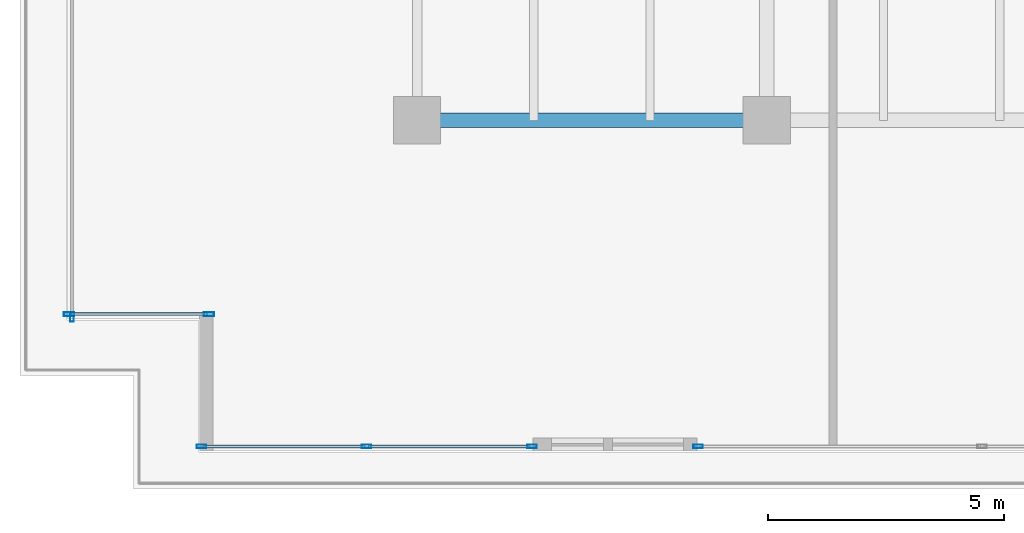
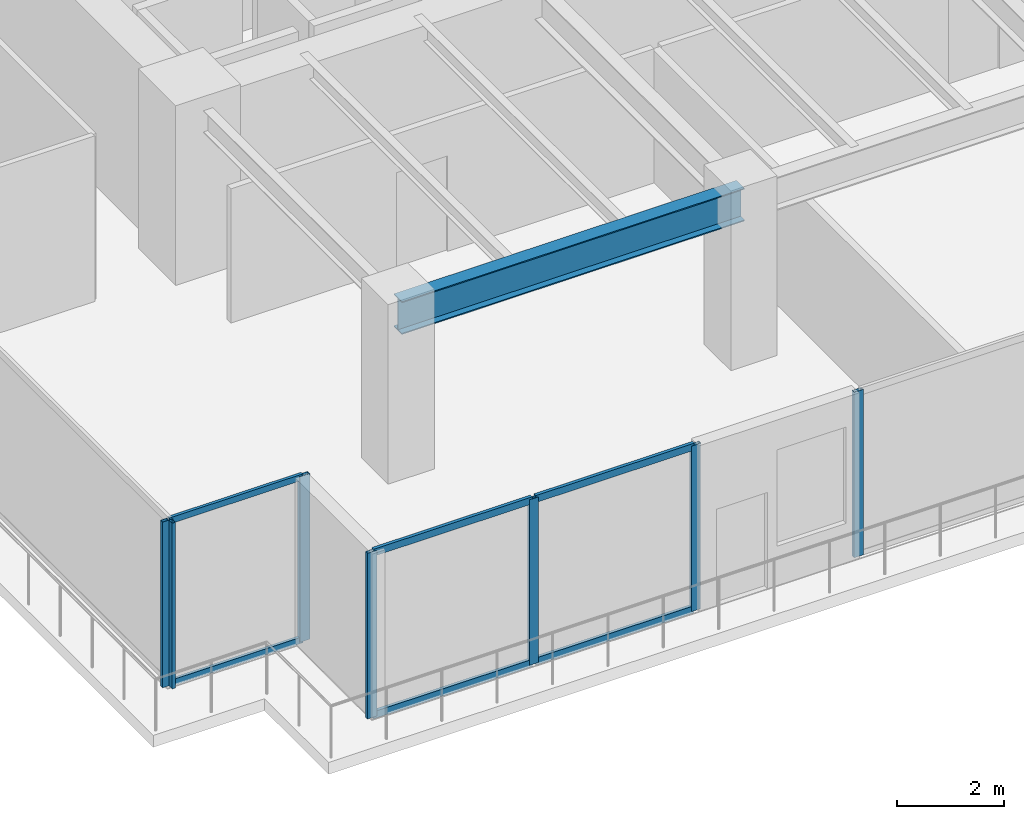
# One storey, part 2 of 36: 13 members, 1 beam, 4 elements without a shape of their own.
"""IFC4 building model written with IfcOpenShell, lengths in metres."""

from ifc_helpers import new_model, si_unit, direction, frame, origin, origin_2d, place, context, subcontext, project, spatial, hollow_rectangle, i_section, extrude, source, transform, mapped, material, layer, layer_set, material_profile, profile_set, type_object, type_shapes, element, aggregate, save


model = new_model("IFC4")

# Units and contexts
model_context = context("Model", 3, precision=1e-05, world=origin(), true_north=direction((0.0, 1.0)))
body_context = subcontext(model_context, "Body", "Model", "MODEL_VIEW")
ifc_project = project(units=[si_unit("LENGTHUNIT", "METRE"), si_unit("AREAUNIT", "SQUARE_METRE"), si_unit("VOLUMEUNIT", "CUBIC_METRE"), si_unit("PLANEANGLEUNIT", "RADIAN"), si_unit("MASSUNIT", "GRAM", prefix="KILO")], contexts=[model_context])

# Site, building, storey
site_placement = place(None, origin())
site = spatial("IfcSite", under=ifc_project, at=site_placement, CompositionType="ELEMENT")
building_placement = place(site_placement, origin())
building = spatial("IfcBuilding", under=site, at=building_placement, Name="Haelvirn Gate Laboratories", CompositionType="ELEMENT")
storey_placement = place(building_placement, frame((0.0, 0.0, 25.199951171875)))
storey = spatial("IfcBuildingStorey", under=building, at=storey_placement, Name="L06", CompositionType="ELEMENT", Elevation=25.199951171875)

# Beam
ifc_material_1 = material(Name="Steel SM355", Category="steel")
ifc_material_profile_1 = material_profile(ifc_material_1, i_section(OverallWidth=0.300048828125, OverallDepth=0.75, WebThickness=0.013916015625, FlangeThickness=0.02392578125, at=origin_2d()), Name="H-750x300x14x24")
ifc_profile_set_1 = profile_set([ifc_material_profile_1], Name="Steel SM355")
beam_type = type_object("IfcBeamType", Name="BM-G-750", PredefinedType="BEAM", material=ifc_profile_set_1)
shared_shape_1 = source(origin(), body_context, "Body", "SweptSolid", [
    extrude(i_section(OverallWidth=0.300048828125, OverallDepth=0.75, WebThickness=0.013916015625, FlangeThickness=0.02392578125, at=origin_2d()), origin(), (0.0, 0.0, 1.0), 7.400146484375),
])
type_shapes(beam_type, [shared_shape_1])
beam_placement = place(storey_placement, frame((7.39990234375, 7.0, 3.405029296875), z_axis=(1.0, 0.0, 0.0), x_axis=(0.0, 1.0, 0.0)))
element("IfcBeam", 1, at=beam_placement, inside=storey, type_object=beam_type, Name="L06 Primary Girder Y7.0 (7.4-14.8)", PredefinedType="BEAM", context=body_context, shape_type="MappedRepresentation", body=[
    mapped(shared_shape_1, transform((0.0, 0.0, 0.0), scale=1.0)),
])

# Curtain wall, members
ifc_material_2 = material(Name="Anodised bronze unitised aluminium & triple low-E glass", Category="aluminium")
ifc_layer_1 = layer(ifc_material_2, 0.18408203125, Name="CW-SYS-2")
ifc_layer_set_1 = layer_set([ifc_layer_1], Name="Anodised bronze unitised aluminium & triple low-E glass")
curtain_wall_type_1 = type_object("IfcCurtainWallType", Name="CW-SYS-2", PredefinedType="NOTDEFINED", material=ifc_layer_set_1)
curtain_wall_1_placement = place(storey_placement, origin())
curtain_wall_1 = element("IfcCurtainWall", 2, at=curtain_wall_1_placement, inside=storey, type_object=curtain_wall_type_1, Name="L06 Unitised Curtain Wall CW-L06-P0-E00-1", PredefinedType="NOTDEFINED")
ifc_material_3 = material(Name="Extruded aluminium 6063-T6 (anodised bronze)", Category="aluminium")
ifc_material_profile_2 = material_profile(ifc_material_3, hollow_rectangle(XDim=0.074951171875, YDim=0.199951171875, WallThickness=0.0048828125, at=origin_2d()), Name="CWM-200x75x5")
ifc_profile_set_2 = profile_set([ifc_material_profile_2], Name="Extruded aluminium 6063-T6 (anodised bronze)")
member_type_1 = type_object("IfcMemberType", Name="CWM-T200", PredefinedType="MULLION", material=ifc_profile_set_2)
shared_shape_2 = source(origin(), body_context, "Body", "SweptSolid", [
    extrude(hollow_rectangle(XDim=0.074951171875, YDim=0.199951171875, WallThickness=0.0048828125, at=origin_2d()), origin(), (0.0, 0.0, 1.0), 3.780029296875),
])
type_shapes(member_type_1, [shared_shape_2])
member_1_placement = place(storey_placement, frame((2.83740234375, 0.10009765625, 0.0), z_axis=(0.0, 0.0, 1.0), x_axis=(0.0, 1.0, 0.0)))
member_1 = element("IfcMember", 3, at=member_1_placement, type_object=member_type_1, Name="CW2 mullion 1", PredefinedType="MULLION", context=body_context, shape_type="MappedRepresentation", body=[
    mapped(shared_shape_2, transform((0.0, 0.0, 0.0), scale=1.0)),
])
member_2_placement = place(storey_placement, frame((6.3349609375, 0.10009765625, 0.0), z_axis=(0.0, 0.0, 1.0), x_axis=(0.0, 1.0, 0.0)))
member_2 = element("IfcMember", 4, at=member_2_placement, type_object=member_type_1, Name="CW2 mullion 2", PredefinedType="MULLION", context=body_context, shape_type="MappedRepresentation", body=[
    mapped(shared_shape_2, transform((0.0, 0.0, 0.0), scale=1.0)),
])
member_3_placement = place(storey_placement, frame((9.83251953125, 0.10009765625, 0.0), z_axis=(0.0, 0.0, 1.0), x_axis=(0.0, 1.0, 0.0)))
member_3 = element("IfcMember", 5, at=member_3_placement, type_object=member_type_1, Name="CW2 mullion 3", PredefinedType="MULLION", context=body_context, shape_type="MappedRepresentation", body=[
    mapped(shared_shape_2, transform((0.0, 0.0, 0.0), scale=1.0)),
])

# Curtain wall, member
curtain_wall_2_placement = place(storey_placement, origin())
curtain_wall_2 = element("IfcCurtainWall", 6, at=curtain_wall_2_placement, inside=storey, type_object=curtain_wall_type_1, Name="L06 Unitised Curtain Wall CW-L06-P0-E00-2", PredefinedType="NOTDEFINED")
member_4_placement = place(storey_placement, frame((13.347412109375, 0.10009765625, 0.0), z_axis=(0.0, 0.0, 1.0), x_axis=(0.0, 1.0, 0.0)))
member_4 = element("IfcMember", 7, at=member_4_placement, type_object=member_type_1, Name="CW2 mullion 1", PredefinedType="MULLION", context=body_context, shape_type="MappedRepresentation", body=[
    mapped(shared_shape_2, transform((0.0, 0.0, 0.0), scale=1.0)),
])
aggregate(curtain_wall_2, [member_4])

curtain_wall_3_placement = place(storey_placement, origin())
curtain_wall_3 = element("IfcCurtainWall", 8, at=curtain_wall_3_placement, inside=storey, type_object=curtain_wall_type_1, Name="L06 Unitised Curtain Wall CW-L06-P0-E17", PredefinedType="NOTDEFINED")
member_5_placement = place(storey_placement, frame((0.10009765625, 2.83740234375, 0.0), z_axis=(0.0, 0.0, 1.0), x_axis=(1.0, 0.0, 0.0)))
member_5 = element("IfcMember", 9, at=member_5_placement, type_object=member_type_1, Name="CW2 mullion 4", PredefinedType="MULLION", context=body_context, shape_type="MappedRepresentation", body=[
    mapped(shared_shape_2, transform((0.0, 0.0, 0.0), scale=1.0)),
])
aggregate(curtain_wall_3, [member_5])

# Member
ifc_material_profile_3 = material_profile(ifc_material_3, hollow_rectangle(XDim=0.070068359375, YDim=0.159912109375, WallThickness=0.0048828125, at=origin_2d()), Name="CWT-160x70x5")
ifc_profile_set_3 = profile_set([ifc_material_profile_3], Name="Extruded aluminium 6063-T6 (anodised bronze)")
member_type_2 = type_object("IfcMemberType", Name="CWT-T160", PredefinedType="USERDEFINED", material=ifc_profile_set_3)
shared_shape_3 = source(origin(), body_context, "Body", "SweptSolid", [
    extrude(hollow_rectangle(XDim=0.070068359375, YDim=0.159912109375, WallThickness=0.0048828125, at=origin_2d()), origin(), (0.0, 0.0, 1.0), 3.422607421875),
])
member_6_placement = place(storey_placement, frame((2.875, 0.10009765625, 0.03515625), z_axis=(1.0, 0.0, 0.0), x_axis=(0.0, 1.0, 0.0)))
member_6 = element("IfcMember", 10, at=member_6_placement, type_object=member_type_2, Name="CW2 transom 1.1", ObjectType="TRANSOM", PredefinedType="USERDEFINED", context=body_context, shape_type="MappedRepresentation", body=[
    mapped(shared_shape_3, transform((0.0, 0.0, 0.0), scale=1.0)),
])

member_7_placement = place(storey_placement, frame((2.875, 0.10009765625, 3.7451171875), z_axis=(1.0, 0.0, 0.0), x_axis=(0.0, 1.0, 0.0)))
member_7 = element("IfcMember", 11, at=member_7_placement, type_object=member_type_2, Name="CW2 transom 1.2", ObjectType="TRANSOM", PredefinedType="USERDEFINED", context=body_context, shape_type="MappedRepresentation", body=[
    mapped(shared_shape_3, transform((0.0, 0.0, 0.0), scale=1.0)),
])

shared_shape_4 = source(origin(), body_context, "Body", "SweptSolid", [
    extrude(hollow_rectangle(XDim=0.070068359375, YDim=0.159912109375, WallThickness=0.0048828125, at=origin_2d()), origin(), (0.0, 0.0, 1.0), 3.42236328125),
])
type_shapes(member_type_2, [shared_shape_3, shared_shape_4])
member_8_placement = place(storey_placement, frame((6.37255859375, 0.10009765625, 0.03515625), z_axis=(1.0, 0.0, 0.0), x_axis=(0.0, 1.0, 0.0)))
member_8 = element("IfcMember", 12, at=member_8_placement, type_object=member_type_2, Name="CW2 transom 2.1", ObjectType="TRANSOM", PredefinedType="USERDEFINED", context=body_context, shape_type="MappedRepresentation", body=[
    mapped(shared_shape_4, transform((0.0, 0.0, 0.0), scale=1.0)),
])

member_9_placement = place(storey_placement, frame((6.37255859375, 0.10009765625, 3.7451171875), z_axis=(1.0, 0.0, 0.0), x_axis=(0.0, 1.0, 0.0)))
member_9 = element("IfcMember", 13, at=member_9_placement, type_object=member_type_2, Name="CW2 transom 2.2", ObjectType="TRANSOM", PredefinedType="USERDEFINED", context=body_context, shape_type="MappedRepresentation", body=[
    mapped(shared_shape_4, transform((0.0, 0.0, 0.0), scale=1.0)),
])

aggregate(curtain_wall_1, [member_1, member_2, member_3, member_6, member_7, member_8, member_9])

# Curtain wall, members
ifc_layer_2 = layer(ifc_material_2, 0.181884765625, Name="CW-SYS-5")
ifc_layer_set_2 = layer_set([ifc_layer_2], Name="Anodised bronze unitised aluminium & triple low-E glass")
curtain_wall_type_2 = type_object("IfcCurtainWallType", Name="CW-SYS-5", PredefinedType="NOTDEFINED", material=ifc_layer_set_2)
curtain_wall_4_placement = place(storey_placement, origin())
curtain_wall_4 = element("IfcCurtainWall", 14, at=curtain_wall_4_placement, inside=storey, type_object=curtain_wall_type_2, Name="L06 Unitised Curtain Wall CW-L06-P0-E18-1", PredefinedType="NOTDEFINED")
ifc_material_profile_4 = material_profile(ifc_material_3, hollow_rectangle(XDim=0.080078125, YDim=0.219970703125, WallThickness=0.006103515625, at=origin_2d()), Name="CWM-220x80x6")
ifc_profile_set_4 = profile_set([ifc_material_profile_4], Name="Extruded aluminium 6063-T6 (anodised bronze)")
member_type_3 = type_object("IfcMemberType", Name="CWM-T220", PredefinedType="MULLION", material=ifc_profile_set_4)
shared_shape_5 = source(origin(), body_context, "Body", "SweptSolid", [
    extrude(hollow_rectangle(XDim=0.080078125, YDim=0.219970703125, WallThickness=0.006103515625, at=origin_2d()), origin(), (0.0, 0.0, 1.0), 3.780029296875),
])
type_shapes(member_type_3, [shared_shape_5])
member_10_placement = place(storey_placement, frame((0.0400390625, 2.89990234375, 0.0), z_axis=(0.0, 0.0, 1.0), x_axis=(0.0, 1.0, 0.0)))
member_10 = element("IfcMember", 15, at=member_10_placement, type_object=member_type_3, Name="CW5 mullion 1", PredefinedType="MULLION", context=body_context, shape_type="MappedRepresentation", body=[
    mapped(shared_shape_5, transform((0.0, 0.0, 0.0), scale=1.0)),
])
member_11_placement = place(storey_placement, frame((3.0, 2.89990234375, 0.0), z_axis=(0.0, 0.0, 1.0), x_axis=(0.0, 1.0, 0.0)))
member_11 = element("IfcMember", 16, at=member_11_placement, type_object=member_type_3, Name="CW5 mullion 2", PredefinedType="MULLION", context=body_context, shape_type="MappedRepresentation", body=[
    mapped(shared_shape_5, transform((0.0, 0.0, 0.0), scale=1.0)),
])
ifc_material_profile_5 = material_profile(ifc_material_3, hollow_rectangle(XDim=0.06494140625, YDim=0.139892578125, WallThickness=0.00390625, at=origin_2d()), Name="CWT-140x65x4")
ifc_profile_set_5 = profile_set([ifc_material_profile_5], Name="Extruded aluminium 6063-T6 (anodised bronze)")
member_type_4 = type_object("IfcMemberType", Name="CWT-T140", PredefinedType="USERDEFINED", material=ifc_profile_set_5)
shared_shape_6 = source(origin(), body_context, "Body", "SweptSolid", [
    extrude(hollow_rectangle(XDim=0.06494140625, YDim=0.139892578125, WallThickness=0.00390625, at=origin_2d()), origin(), (0.0, 0.0, 1.0), 2.8798828125),
])
type_shapes(member_type_4, [shared_shape_6])
member_12_placement = place(storey_placement, frame((0.080078125, 2.89990234375, 0.032470703125), z_axis=(1.0, 0.0, 0.0), x_axis=(0.0, 1.0, 0.0)))
member_12 = element("IfcMember", 17, at=member_12_placement, type_object=member_type_4, Name="CW5 transom 1.1", ObjectType="TRANSOM", PredefinedType="USERDEFINED", context=body_context, shape_type="MappedRepresentation", body=[
    mapped(shared_shape_6, transform((0.0, 0.0, 0.0), scale=1.0)),
])
member_13_placement = place(storey_placement, frame((0.080078125, 2.89990234375, 3.74755859375), z_axis=(1.0, 0.0, 0.0), x_axis=(0.0, 1.0, 0.0)))
member_13 = element("IfcMember", 18, at=member_13_placement, type_object=member_type_4, Name="CW5 transom 1.2", ObjectType="TRANSOM", PredefinedType="USERDEFINED", context=body_context, shape_type="MappedRepresentation", body=[
    mapped(shared_shape_6, transform((0.0, 0.0, 0.0), scale=1.0)),
])
aggregate(curtain_wall_4, [member_10, member_11, member_12, member_13])

save(model, "model.ifc")
